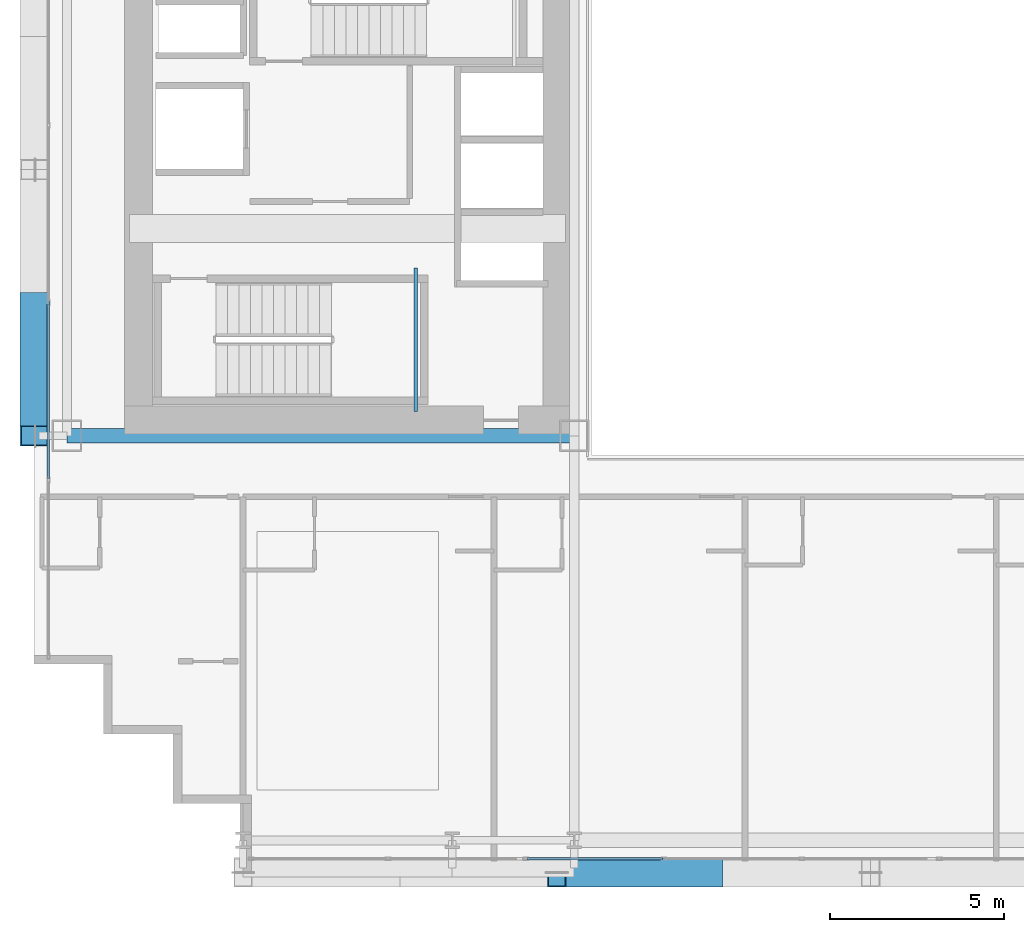
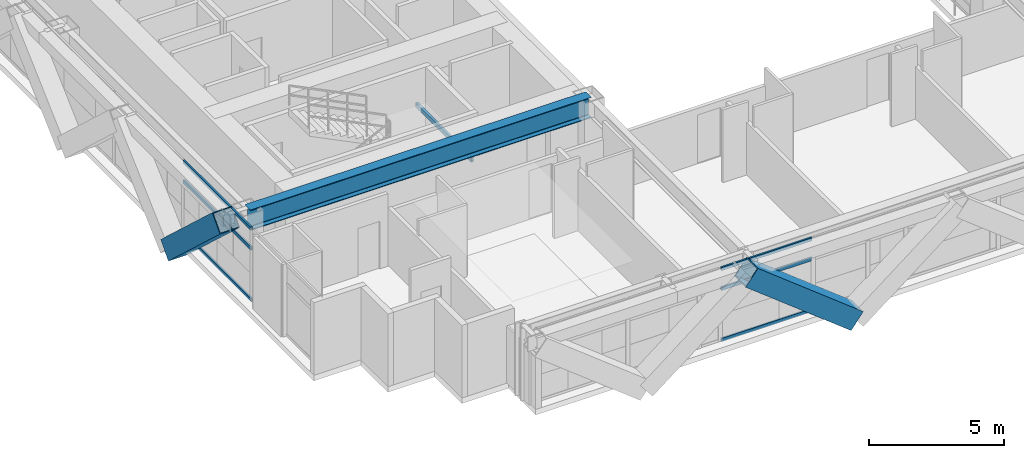
# One storey, part 4 of 35: 8 members, 2 beams, 2 elements without a shape of their own.
"""IFC4 building model written with IfcOpenShell, lengths in metres."""

from ifc_helpers import new_model, si_unit, direction, frame, origin, origin_2d, place, context, subcontext, project, spatial, hollow_rectangle, i_section, extrude, source, transform, mapped, material, layer, layer_set, material_profile, profile_set, type_object, element, aggregate, save


model = new_model("IFC4")

# Units and contexts
model_context = context("Model", 3, precision=1e-05, world=origin(), true_north=direction((0.0, 1.0)))
body_context = subcontext(model_context, "Body", "Model", "MODEL_VIEW")
ifc_project = project(units=[si_unit("LENGTHUNIT", "METRE"), si_unit("AREAUNIT", "SQUARE_METRE"), si_unit("VOLUMEUNIT", "CUBIC_METRE"), si_unit("PLANEANGLEUNIT", "RADIAN"), si_unit("MASSUNIT", "GRAM", prefix="KILO")], contexts=[model_context])

# Site, building, storey
site_placement = place(None, origin())
site = spatial("IfcSite", under=ifc_project, at=site_placement, CompositionType="ELEMENT")
building_placement = place(site_placement, origin())
building = spatial("IfcBuilding", under=site, at=building_placement, Name="Ocotamira Hotel", CompositionType="ELEMENT")
storey_placement = place(building_placement, frame((0.0, 0.0, 81.60009765625)))
storey = spatial("IfcBuildingStorey", under=building, at=storey_placement, Name="L20", CompositionType="ELEMENT", Elevation=81.60009765625)

# Beams
ifc_material_1 = material(Name="Steel ASTM A500 Grade C", Category="steel")
ifc_material_profile_1 = material_profile(ifc_material_1, hollow_rectangle(XDim=0.10009765625, YDim=0.199951171875, WallThickness=0.008056640625, at=origin_2d()), Name="HSS200X100X8")
ifc_profile_set_1 = profile_set([ifc_material_profile_1], Name="Steel ASTM A500 Grade C")
beam_type_1 = type_object("IfcBeamType", Name="BM-STLDG-HSS200", PredefinedType="BEAM", material=ifc_profile_set_1)
shared_shape_1 = source(origin(), body_context, "Body", "SweptSolid", [
    extrude(hollow_rectangle(XDim=0.10009765625, YDim=0.199951171875, WallThickness=0.008056640625, at=origin_2d()), origin(), (0.0, 0.0, 1.0), 4.1201171875),
])
beam_1_placement = place(storey_placement, frame((18.949951171875, 15.25, 1.5), z_axis=(0.0, 1.0, 0.0), x_axis=(-1.0, 0.0, 0.0)))
element("IfcBeam", 1, at=beam_1_placement, inside=storey, type_object=beam_type_1, Name="L20 Stair ST-1 Landing Bearer 1", PredefinedType="BEAM", context=body_context, shape_type="MappedRepresentation", body=[
    mapped(shared_shape_1, transform((0.0, 0.0, 0.0), scale=1.0)),
])
ifc_material_2 = material(Name="Steel ASTM A992 Grade 50", Category="steel")
ifc_material_profile_2 = material_profile(ifc_material_2, i_section(OverallWidth=0.41796875, OverallDepth=0.927001953125, WebThickness=0.019287109375, FlangeThickness=0.031982421875, FilletRadius=0.02392578125, at=origin_2d()), Name="W36X231")
ifc_profile_set_2 = profile_set([ifc_material_profile_2], Name="Steel ASTM A992 Grade 50")
beam_type_2 = type_object("IfcBeamType", Name="BM-GIRD-W36X231", PredefinedType="BEAM", material=ifc_profile_set_2)
shared_shape_2 = source(origin(), body_context, "Body", "SweptSolid", [
    extrude(i_section(OverallWidth=0.41796875, OverallDepth=0.927001953125, WebThickness=0.019287109375, FlangeThickness=0.031982421875, FilletRadius=0.02392578125, at=origin_2d()), origin(), (0.0, 0.0, 1.0), 14.550048828125),
])
beam_2_placement = place(storey_placement, frame((8.949951171875, 14.550048828125, 2.81640625), z_axis=(1.0, 0.0, 0.0), x_axis=(0.0, 1.0, 0.0)))
element("IfcBeam", 2, at=beam_2_placement, inside=storey, type_object=beam_type_2, Name="L20 Girder Y14.55 X8.95-23.5", PredefinedType="BEAM", context=body_context, shape_type="MappedRepresentation", body=[
    mapped(shared_shape_2, transform((0.0, 0.0, 0.0), scale=1.0)),
])

# Members
ifc_material_3 = material(Name="Pale-metal coated steel ASTM A913 Grade 65", Category="steel")
ifc_material_profile_3 = material_profile(ifc_material_3, hollow_rectangle(XDim=0.85009765625, YDim=0.85009765625, WallThickness=0.035888671875, at=origin_2d()), Name="BOX850X850X36")
ifc_profile_set_3 = profile_set([ifc_material_profile_3], Name="Pale-metal coated steel ASTM A913 Grade 65")
member_type_1 = type_object("IfcMemberType", Name="MEM-EXO-BOX850", PredefinedType="BRACE", material=ifc_profile_set_3)
shared_shape_3 = source(origin(), body_context, "Body", "SweptSolid", [
    extrude(hollow_rectangle(XDim=0.85009765625, YDim=0.85009765625, WallThickness=0.035888671875, at=origin_2d()), origin(), (0.0, 0.0, 1.0), 5.71923828125),
])
member_1_placement = place(storey_placement, frame((27.5, 2.030029296875, -0.5), z_axis=(-0.786821712922, 0.0, 0.617180356197), x_axis=(0.0, -1.0, 0.0)))
element("IfcMember", 3, at=member_1_placement, inside=storey, type_object=member_type_1, Name="L20 Exoskeleton Diagrid S1.1", PredefinedType="BRACE", context=body_context, shape_type="MappedRepresentation", body=[
    mapped(shared_shape_3, transform((0.0, 0.0, 0.0), scale=1.0)),
])
shared_shape_4 = source(origin(), body_context, "Body", "SweptSolid", [
    extrude(hollow_rectangle(XDim=0.85009765625, YDim=0.85009765625, WallThickness=0.035888671875, at=origin_2d()), origin(), (0.0, 0.0, 1.0), 5.19873046875),
])
member_2_placement = place(storey_placement, frame((8.030029296875, 18.36669921875, -0.5), z_axis=(0.0, -0.734158546733, 0.67897807642), x_axis=(1.0, 0.0, 0.0)))
element("IfcMember", 4, at=member_2_placement, inside=storey, type_object=member_type_1, Name="L20 Exoskeleton Diagrid W0.1", PredefinedType="BRACE", context=body_context, shape_type="MappedRepresentation", body=[
    mapped(shared_shape_4, transform((0.0, 0.0, 0.0), scale=1.0)),
])

# Curtain wall, members
ifc_material_4 = material(Name="Anodised pale-metal aluminium and solar glass", Category="aluminium")
ifc_layer = layer(ifc_material_4, 0.179931640625)
ifc_layer_set = layer_set([ifc_layer], Name="Anodised pale-metal aluminium and solar glass")
curtain_wall_type = type_object("IfcCurtainWallType", Name="CW-SYS2-Z1", PredefinedType="NOTDEFINED", material=ifc_layer_set)
curtain_wall_1_placement = place(storey_placement, origin())
curtain_wall_1 = element("IfcCurtainWall", 5, at=curtain_wall_1_placement, inside=storey, type_object=curtain_wall_type, Name="L20 Curtain Wall CW-2 CW-L20-S1", PredefinedType="NOTDEFINED")
ifc_material_5 = material(Name="Anodised pale-metal aluminium 6063-T6", Category="aluminium")
ifc_material_profile_4 = material_profile(ifc_material_5, hollow_rectangle(XDim=0.074951171875, YDim=0.14990234375, WallThickness=0.006103515625, at=origin_2d()), Name="HSS150X75X6")
ifc_profile_set_4 = profile_set([ifc_material_profile_4], Name="Anodised pale-metal aluminium 6063-T6")
member_type_2 = type_object("IfcMemberType", Name="CWT-150X75", PredefinedType="USERDEFINED", material=ifc_profile_set_4)
shared_shape_5 = source(origin(), body_context, "Body", "SweptSolid", [
    extrude(hollow_rectangle(XDim=0.074951171875, YDim=0.14990234375, WallThickness=0.006103515625, at=origin_2d()), origin(), (0.0, 0.0, 1.0), 3.87548828125),
])
member_3_placement = place(storey_placement, frame((22.151123046875, 2.419921875, 0.037353515625), z_axis=(1.0, 0.0, 0.0), x_axis=(0.0, 1.0, 0.0)))
member_3 = element("IfcMember", 6, at=member_3_placement, type_object=member_type_2, Name="CW-2 transom 3.1", ObjectType="TRANSOM", PredefinedType="USERDEFINED", context=body_context, shape_type="MappedRepresentation", body=[
    mapped(shared_shape_5, transform((0.0, 0.0, 0.0), scale=1.0)),
])
member_4_placement = place(storey_placement, frame((22.151123046875, 2.419921875, 2.349853515625), z_axis=(1.0, 0.0, 0.0), x_axis=(0.0, 1.0, 0.0)))
member_4 = element("IfcMember", 7, at=member_4_placement, type_object=member_type_2, Name="CW-2 transom 3.2", ObjectType="TRANSOM", PredefinedType="USERDEFINED", context=body_context, shape_type="MappedRepresentation", body=[
    mapped(shared_shape_5, transform((0.0, 0.0, 0.0), scale=1.0)),
])
member_5_placement = place(storey_placement, frame((22.151123046875, 2.419921875, 3.242431640625), z_axis=(1.0, 0.0, 0.0), x_axis=(0.0, 1.0, 0.0)))
member_5 = element("IfcMember", 8, at=member_5_placement, type_object=member_type_2, Name="CW-2 transom 3.3", ObjectType="TRANSOM", PredefinedType="USERDEFINED", context=body_context, shape_type="MappedRepresentation", body=[
    mapped(shared_shape_5, transform((0.0, 0.0, 0.0), scale=1.0)),
])
aggregate(curtain_wall_1, [member_3, member_4, member_5])

curtain_wall_2_placement = place(storey_placement, origin())
curtain_wall_2 = element("IfcCurtainWall", 9, at=curtain_wall_2_placement, inside=storey, type_object=curtain_wall_type, Name="L20 Curtain Wall CW-2 CW-L20-W", PredefinedType="NOTDEFINED")
shared_shape_6 = source(origin(), body_context, "Body", "SweptSolid", [
    extrude(hollow_rectangle(XDim=0.074951171875, YDim=0.14990234375, WallThickness=0.006103515625, at=origin_2d()), origin(), (0.0, 0.0, 1.0), 5.005859375),
])
member_6_placement = place(storey_placement, frame((8.419921875, 13.32568359375, 0.037353515625), z_axis=(0.0, 1.0, 0.0), x_axis=(-1.0, 0.0, 0.0)))
member_6 = element("IfcMember", 10, at=member_6_placement, type_object=member_type_2, Name="CW-2 transom 2.1", ObjectType="TRANSOM", PredefinedType="USERDEFINED", context=body_context, shape_type="MappedRepresentation", body=[
    mapped(shared_shape_6, transform((0.0, 0.0, 0.0), scale=1.0)),
])
member_7_placement = place(storey_placement, frame((8.419921875, 13.32568359375, 2.349853515625), z_axis=(0.0, 1.0, 0.0), x_axis=(-1.0, 0.0, 0.0)))
member_7 = element("IfcMember", 11, at=member_7_placement, type_object=member_type_2, Name="CW-2 transom 2.2", ObjectType="TRANSOM", PredefinedType="USERDEFINED", context=body_context, shape_type="MappedRepresentation", body=[
    mapped(shared_shape_6, transform((0.0, 0.0, 0.0), scale=1.0)),
])
member_8_placement = place(storey_placement, frame((8.419921875, 13.32568359375, 3.242431640625), z_axis=(0.0, 1.0, 0.0), x_axis=(-1.0, 0.0, 0.0)))
member_8 = element("IfcMember", 12, at=member_8_placement, type_object=member_type_2, Name="CW-2 transom 2.3", ObjectType="TRANSOM", PredefinedType="USERDEFINED", context=body_context, shape_type="MappedRepresentation", body=[
    mapped(shared_shape_6, transform((0.0, 0.0, 0.0), scale=1.0)),
])
aggregate(curtain_wall_2, [member_6, member_7, member_8])

save(model, "model.ifc")
